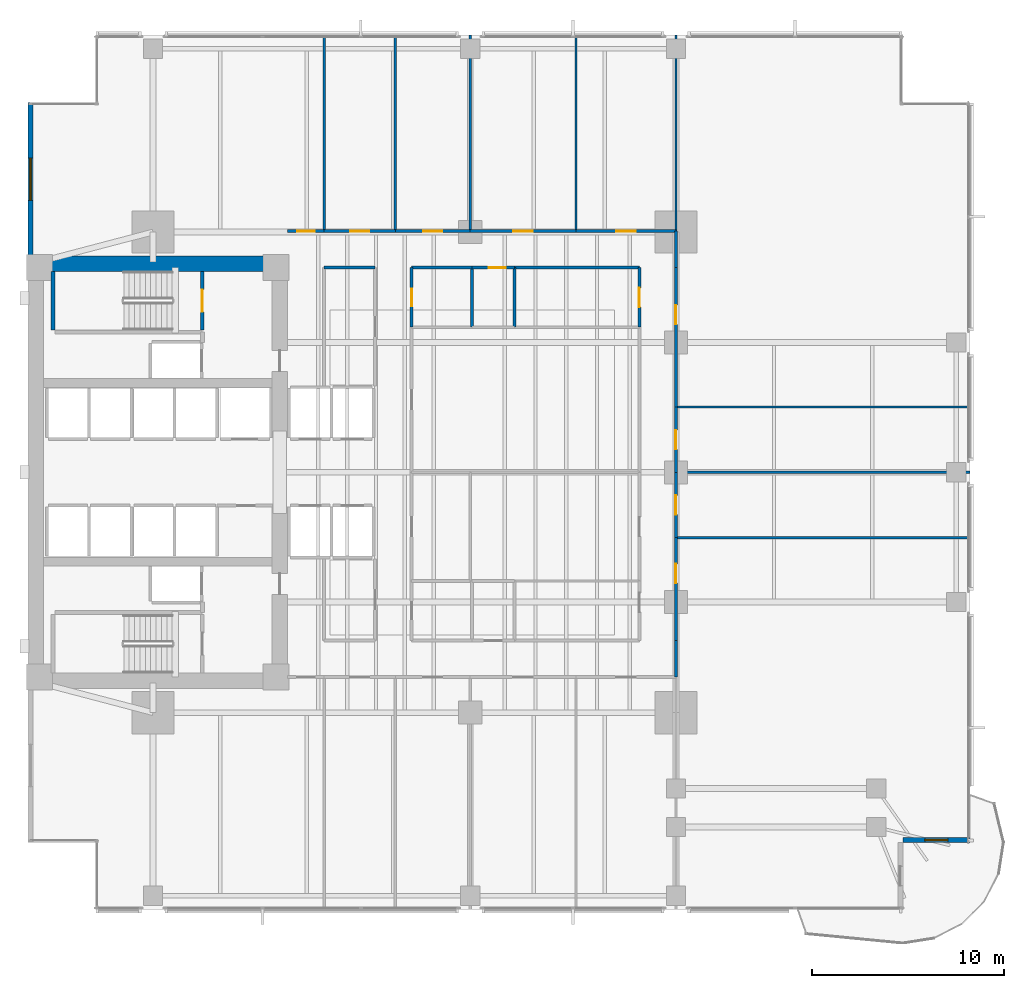
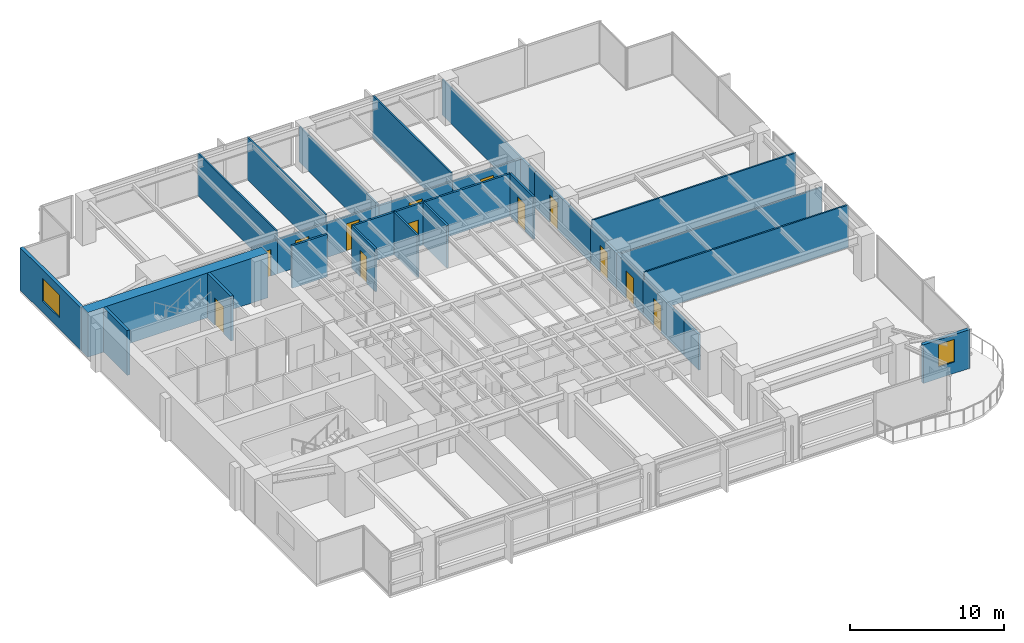
# One storey, part 10 of 15: 32 walls, 13 doors, 2 windows, 15 openings.
"""IFC4 building model written with IfcOpenShell, lengths in metres."""

import ifcopenshell
import ifcopenshell.guid

model = None  # the IFC model being written
_history = None  # IfcOwnerHistory: only IFC2X3 demands one
_inside = {}  # id of a spatial element -> (the spatial element, [elements in it])
_under = {}  # id of a project, library or spatial element -> (it, [spatial elements below it])
_declared = {}  # id of a project -> (the project, [libraries it declares])
_typed = {}  # id of a type object -> (the type object, [elements of that type])
_made_of = {}  # id of a material, layer set ... -> (it, [elements and type objects made of it])


def new_model(schema):
    """Start an empty IFC model of exactly this schema.

    Asked for "IFC4X3", IfcOpenShell would pick the latest addendum, in which some entities
    have other attributes; the version numbers below select the first issue.
    IFC2X3 requires an IfcOwnerHistory on every rooted entity: one is made here for all.
    """
    global model, _history
    if schema == "IFC4X3":
        model = ifcopenshell.file(schema_version=(4, 3, 0, 0))
    else:
        model = ifcopenshell.file(schema=schema)
    _inside.clear()
    _under.clear()
    _declared.clear()
    _typed.clear()
    _made_of.clear()
    _history = None
    if model.schema == "IFC2X3":
        org = make("IfcOrganization", Name="unknown")
        user = make(
            "IfcPersonAndOrganization",
            ThePerson=make("IfcPerson", FamilyName="unknown"),
            TheOrganization=org,
        )
        app = make(
            "IfcApplication",
            ApplicationDeveloper=org,
            Version="unknown",
            ApplicationFullName="unknown",
            ApplicationIdentifier="unknown",
        )
        _history = make(
            "IfcOwnerHistory",
            OwningUser=user,
            OwningApplication=app,
            ChangeAction="ADDED",
            CreationDate=0,
        )
    return model


def make(cls, **values):
    """One entity of the class cls with the attributes given. An attribute that is None is left unset."""
    return model.create_entity(
        cls, **{name: value for name, value in values.items() if value is not None}
    )


def rooted(cls, **values):
    """An entity with a GlobalId (a new one), such as an element, a storey or a relation."""
    return make(cls, GlobalId=ifcopenshell.guid.new(), OwnerHistory=_history, **values)


def si_unit(unit_type, name, prefix=None):
    """IfcSIUnit, for example si_unit("LENGTHUNIT", "METRE", prefix="MILLI")."""
    return make("IfcSIUnit", UnitType=unit_type, Prefix=prefix, Name=name)


def assignment(units):
    """IfcUnitAssignment: the units of a project."""
    return None if units is None else make("IfcUnitAssignment", Units=units)


def point(xyz):
    """IfcCartesianPoint."""
    return None if xyz is None else make("IfcCartesianPoint", Coordinates=xyz)


def direction(xyz):
    """IfcDirection."""
    return None if xyz is None else make("IfcDirection", DirectionRatios=xyz)


def frame(location, z_axis=None, x_axis=None):
    """IfcAxis2Placement3D, a coordinate frame: its origin and axes. An axis left out is left unset."""
    return make(
        "IfcAxis2Placement3D",
        Location=point(location),
        Axis=direction(z_axis),
        RefDirection=direction(x_axis),
    )


def frame_2d(location, x_axis=None):
    """IfcAxis2Placement2D, a coordinate frame in the plane: its origin and x axis."""
    return make(
        "IfcAxis2Placement2D", Location=point(location), RefDirection=direction(x_axis)
    )


def origin():
    """The frame at (0, 0, 0) with its axes left unset."""
    return frame((0.0, 0.0, 0.0))


def place(relative_to, where):
    """IfcLocalPlacement: puts the frame where relative to a parent placement (None: the world)."""
    return make(
        "IfcLocalPlacement", PlacementRelTo=relative_to, RelativePlacement=where
    )


def context(
    kind, dimensions, precision=None, world=None, true_north=None, identifier=None
):
    """IfcGeometricRepresentationContext, for example the 3D "Model" context."""
    return make(
        "IfcGeometricRepresentationContext",
        ContextIdentifier=identifier,
        ContextType=kind,
        CoordinateSpaceDimension=dimensions,
        Precision=precision,
        WorldCoordinateSystem=world,
        TrueNorth=true_north,
    )


def subcontext(parent, identifier, kind, view, scale=None):
    """IfcGeometricRepresentationSubContext, for example "Body" below "Model"."""
    return make(
        "IfcGeometricRepresentationSubContext",
        ContextIdentifier=identifier,
        ContextType=kind,
        ParentContext=parent,
        TargetScale=scale,
        TargetView=view,
    )


def project(units=None, contexts=None):
    """IfcProject with its units and contexts."""
    return rooted(
        "IfcProject",
        Name="project",
        RepresentationContexts=contexts,
        UnitsInContext=assignment(units),
    )


def spatial(cls, under=None, at=None, **own):
    """A site, building, storey or space (cls), placed at a placement, below another one or the project."""
    s = rooted(cls, ObjectPlacement=at, **own)
    if under is not None:
        _under.setdefault(under.id(), (under, []))[1].append(s)
    return s


def profile(cls, at=None, kind="AREA", **sizes):
    """A parametric profile (cls). Its sizes go by their IFC names, for example OverallWidth=200.0."""
    return make(cls, ProfileType=kind, Position=at, **sizes)


def rectangle(**sizes):
    """IfcRectangleProfileDef."""
    return profile("IfcRectangleProfileDef", **sizes)


def extrude(swept, where, along, depth):
    """IfcExtrudedAreaSolid: the profile swept, set in the frame where, extruded along a direction by depth."""
    return make(
        "IfcExtrudedAreaSolid",
        SweptArea=swept,
        Position=where,
        ExtrudedDirection=direction(along),
        Depth=depth,
    )


def shape(context_of_items, identifier, shape_type, items):
    """IfcShapeRepresentation: the items that make up one representation, for example the "Body"."""
    return make(
        "IfcShapeRepresentation",
        ContextOfItems=context_of_items,
        RepresentationIdentifier=identifier,
        RepresentationType=shape_type,
        Items=items,
    )


def material(Name=None, Category=None):
    """IfcMaterial."""
    return make("IfcMaterial", Name=Name, Category=Category)


def layer(
    of_material, thickness, ventilated=None, Name=None, Category=None, Priority=None
):
    """IfcMaterialLayer: one layer of a wall or slab, of a material (None: an air gap)."""
    return make(
        "IfcMaterialLayer",
        Material=of_material,
        LayerThickness=thickness,
        IsVentilated=ventilated,
        Name=Name,
        Category=Category,
        Priority=Priority,
    )


def layer_set(layers, Name=None):
    """IfcMaterialLayerSet."""
    return make("IfcMaterialLayerSet", MaterialLayers=layers, LayerSetName=Name)


def made_of(thing, what):
    """Note that an element or type object is made of a material, layer set ...; save() writes the relation."""
    if what is not None:
        _made_of.setdefault(what.id(), (what, []))[1].append(thing)
    return thing


def type_object(cls, material=None, **own):
    """A type object (cls), such as IfcWallType, which elements share."""
    return made_of(rooted(cls, **own), material)


def element(
    cls,
    number,
    at=None,
    inside=None,
    cuts=None,
    type_object=None,
    material=None,
    context=None,
    identifier="Body",
    shape_type=None,
    held_by="IfcProductDefinitionShape",
    body=None,
    shapes=None,
    **own,
):
    """One element of the class cls, such as IfcWall. Its Tag is "e" and its number.

    at: its placement. inside: the storey or other place that contains it. cuts: it is an
    opening in that element (IfcRelVoidsElement). A single representation is given by context,
    identifier, shape_type and body (its items); several are given by shapes. held_by: the class
    of the entity that holds the representations. save() writes the other relations.
    """
    e = rooted(cls, Tag="e%d" % number, ObjectPlacement=at, **own)
    if body is not None:
        shapes = [shape(context, identifier, shape_type, body)]
    if shapes is not None:
        e.Representation = make(held_by, Representations=shapes)
    if inside is not None:
        _inside.setdefault(inside.id(), (inside, []))[1].append(e)
    if cuts is not None:
        rooted(
            "IfcRelVoidsElement", RelatingBuildingElement=cuts, RelatedOpeningElement=e
        )
    if type_object is not None:
        _typed.setdefault(type_object.id(), (type_object, []))[1].append(e)
    return made_of(e, material)


def fill(opening, filler):
    """IfcRelFillsElement: the door or window that sits in an opening."""
    return rooted(
        "IfcRelFillsElement",
        RelatingOpeningElement=opening,
        RelatedBuildingElement=filler,
    )


def aggregate(whole, parts):
    """IfcRelAggregates: a whole, such as a stair, and the parts it consists of."""
    return rooted("IfcRelAggregates", RelatingObject=whole, RelatedObjects=parts)


def save(model, path):
    """Write the relations noted so far, then the file.

    IfcRelAggregates (storeys below a building ...), IfcRelContainedInSpatialStructure (elements
    in a storey), IfcRelDefinesByType, IfcRelAssociatesMaterial and IfcRelDeclares: one each for
    every whole, place, type object, material and project.
    """
    for whole, parts in _under.values():
        aggregate(whole, parts)
    for where, things in _inside.values():
        rooted(
            "IfcRelContainedInSpatialStructure",
            RelatedElements=things,
            RelatingStructure=where,
        )
    for kind, things in _typed.values():
        rooted("IfcRelDefinesByType", RelatedObjects=things, RelatingType=kind)
    for what, things in _made_of.values():
        rooted("IfcRelAssociatesMaterial", RelatedObjects=things, RelatingMaterial=what)
    for by, libraries in _declared.values():
        rooted("IfcRelDeclares", RelatingContext=by, RelatedDefinitions=libraries)
    model.write(path)


model = new_model("IFC4")

# Units and contexts
model_context = context("Model", 3, precision=1e-05, world=origin(), true_north=direction((0.0, 1.0)))
body_context = subcontext(model_context, "Body", "Model", "MODEL_VIEW")
ifc_project = project(units=[si_unit("LENGTHUNIT", "METRE"), si_unit("AREAUNIT", "SQUARE_METRE"), si_unit("VOLUMEUNIT", "CUBIC_METRE"), si_unit("PLANEANGLEUNIT", "RADIAN"), si_unit("MASSUNIT", "GRAM", prefix="KILO")], contexts=[model_context])

# Site, building, storey
site_placement = place(None, origin())
site = spatial("IfcSite", under=ifc_project, at=site_placement, CompositionType="ELEMENT")
building_placement = place(site_placement, origin())
building = spatial("IfcBuilding", under=site, at=building_placement, Name="Kinhvarn Gate Tower", CompositionType="ELEMENT")
storey_placement = place(building_placement, frame((0.0, 0.0, 61.10009765625)))
storey = spatial("IfcBuildingStorey", under=building, at=storey_placement, Name="L15", CompositionType="ELEMENT", Elevation=61.10009765625)

# Wall
ifc_material_1 = material(Name="Concrete C70/85", Category="concrete")
ifc_layer_1 = layer(ifc_material_1, 0.800048828125)
ifc_layer_set_1 = layer_set([ifc_layer_1], Name="Concrete C70/85")
wall_type_1 = type_object("IfcWallType", Name="WL-CORE-800", PredefinedType="SHEAR", material=ifc_layer_set_1)
wall_1_placement = place(storey_placement, frame((4.5, 36.10009765625, 0.0), z_axis=(0.0, 0.0, 1.0), x_axis=(1.0, 0.0, 0.0)))
element("IfcWall", 1, at=wall_1_placement, inside=storey, type_object=wall_type_1, Name="Core North Shear Wall L15 800 mm", PredefinedType="SHEAR", context=body_context, shape_type="SweptSolid", body=[
    extrude(rectangle(XDim=13.5, YDim=0.800048828125, at=frame_2d((6.75, 0.0))), origin(), (0.0, 0.0, 1.0), 3.5498046875),
])

# Wall, opening, window
ifc_material_2 = material(Name="Fired architectural terracotta", Category="masonry")
ifc_layer_2 = layer(ifc_material_2, 0.25)
ifc_layer_set_2 = layer_set([ifc_layer_2], Name="Fired architectural terracotta")
wall_type_2 = type_object("IfcWallType", Name="WL-EXT-250", PredefinedType="SOLIDWALL", material=ifc_layer_set_2)
wall_2_placement = place(storey_placement, frame((4.625, 44.5, 0.0), z_axis=(0.0, 0.0, 1.0), x_axis=(0.0, -1.0, 0.0)))
wall_2 = element("IfcWall", 2, at=wall_2_placement, inside=storey, type_object=wall_type_2, Name="Exterior Solidwall Wall EW-250 (L15 West-North)", PredefinedType="SOLIDWALL", context=body_context, shape_type="SweptSolid", body=[
    extrude(rectangle(XDim=8.0, YDim=0.25, at=frame_2d((4.0, 0.0))), origin(), (0.0, 0.0, 1.0), 3.369873046875),
])
opening_1_placement = place(wall_2_placement, frame((2.89990234375, 0.0, 0.89990234375)))
opening_1 = element("IfcOpeningElement", 3, at=opening_1_placement, cuts=wall_2, Name="Opening WN-01", PredefinedType="OPENING", context=body_context, shape_type="SweptSolid", body=[
    extrude(rectangle(XDim=2.199951171875, YDim=1.800048828125, at=frame_2d((1.10009765625, 0.89990234375))), frame((0.0, 0.135009765625, 0.0), z_axis=(0.0, -1.0, 0.0), x_axis=(1.0, 0.0, 0.0)), (0.0, 0.0, 1.0), 0.27001953125),
])
ifc_material_3 = material(Name="Clear low-e double glazing", Category="glass")
window_type_1 = type_object("IfcWindowType", Name="WIN-RIB-2200", PartitioningType="SINGLE_PANEL", PredefinedType="WINDOW", material=ifc_material_3)
window_1_placement = place(opening_1_placement, origin())
window_1 = element("IfcWindow", 4, at=window_1_placement, inside=storey, type_object=window_type_1, Name="West Flank Double-Glazed Ribbon Window 2200x1800 mm (L15)", OverallHeight=1.800048828125, OverallWidth=2.199951171875, PartitioningType="SINGLE_PANEL", PredefinedType="WINDOW", context=body_context, shape_type="SweptSolid", body=[
    extrude(rectangle(XDim=2.199951171875, YDim=1.800048828125, at=frame_2d((1.10009765625, 0.89990234375))), frame((0.0, 0.030029296875, 0.0), z_axis=(0.0, -1.0, 0.0), x_axis=(1.0, 0.0, 0.0)), (0.0, 0.0, 1.0), 0.06005859375),
])
fill(opening_1, window_1)

wall_3_placement = place(storey_placement, frame((50.0, 6.125, 0.0), z_axis=(0.0, 0.0, 1.0), x_axis=(1.0, 0.0, 0.0)))
wall_3 = element("IfcWall", 5, at=wall_3_placement, inside=storey, type_object=wall_type_2, Name="Exterior Solidwall Wall EW-250 (L15 SE-Notch-Win)", PredefinedType="SOLIDWALL", context=body_context, shape_type="SweptSolid", body=[
    extrude(rectangle(XDim=3.5, YDim=0.25, at=frame_2d((1.75, 0.0))), origin(), (0.0, 0.0, 1.0), 3.06982421875),
])
opening_2_placement = place(wall_3_placement, frame((1.14990234375, 0.0, 0.89990234375)))
opening_2 = element("IfcOpeningElement", 6, at=opening_2_placement, cuts=wall_3, Name="Opening WN-02", PredefinedType="OPENING", context=body_context, shape_type="SweptSolid", body=[
    extrude(rectangle(XDim=1.199951171875, YDim=1.800048828125, at=frame_2d((0.60009765625, 0.89990234375))), frame((0.0, 0.135009765625, 0.0), z_axis=(0.0, -1.0, 0.0), x_axis=(1.0, 0.0, 0.0)), (0.0, 0.0, 1.0), 0.27001953125),
])
window_type_2 = type_object("IfcWindowType", Name="WIN-NTC-1200", PartitioningType="SINGLE_PANEL", PredefinedType="WINDOW", material=ifc_material_3)
window_2_placement = place(opening_2_placement, origin())
window_2 = element("IfcWindow", 7, at=window_2_placement, inside=storey, type_object=window_type_2, Name="Recessed Corner Notch Punched Window 1200x1800 mm (L15)", OverallHeight=1.800048828125, OverallWidth=1.199951171875, PartitioningType="SINGLE_PANEL", PredefinedType="WINDOW", context=body_context, shape_type="SweptSolid", body=[
    extrude(rectangle(XDim=1.199951171875, YDim=1.800048828125, at=frame_2d((0.60009765625, 0.89990234375))), frame((0.0, 0.030029296875, 0.0), z_axis=(0.0, -1.0, 0.0), x_axis=(1.0, 0.0, 0.0)), (0.0, 0.0, 1.0), 0.06005859375),
])
fill(opening_2, window_2)

# Walls
ifc_material_4 = material(Name="Gypsum acoustic partition board")
ifc_layer_3 = layer(ifc_material_4, 0.14990234375)
ifc_layer_set_3 = layer_set([ifc_layer_3], Name="Gypsum acoustic partition board")
wall_type_3 = type_object("IfcWallType", Name="WL-PLM-150", PredefinedType="PLUMBINGWALL", material=ifc_layer_set_3)
for number, where, z_axis, x_axis, name in (
    (8, (27.60009765625, 32.800048828125, 0.0), (0.0, 0.0, 1.0), (0.0, 1.0, 0.0), "Interior Partition PLW-150 (L15)"),
    (9, (29.800048828125, 32.800048828125, 0.0), (0.0, 0.0, 1.0), (0.0, 1.0, 0.0), "Interior Partition PLW-150 (L15)"),
):
    element("IfcWall", number, at=place(storey_placement, frame(where, z_axis=z_axis, x_axis=x_axis)), inside=storey, type_object=wall_type_3, Name=name, PredefinedType="PLUMBINGWALL", context=body_context, shape_type="SweptSolid", body=[
        extrude(rectangle(XDim=3.099853515625, YDim=0.14990234375, at=frame_2d((1.5498046875, 0.0))), origin(), (0.0, 0.0, 1.0), 3.369873046875),
    ])

# Wall, opening, door
ifc_layer_4 = layer(ifc_material_4, 0.14990234375)
ifc_layer_set_4 = layer_set([ifc_layer_4], Name="Gypsum acoustic partition board")
wall_type_4 = type_object("IfcWallType", Name="WL-PLM-150F", PredefinedType="PLUMBINGWALL", material=ifc_layer_set_4)
wall_4_placement = place(storey_placement, frame((24.449951171875, 32.800048828125, 0.0), z_axis=(0.0, 0.0, 1.0), x_axis=(0.0, 1.0, 0.0)))
wall_4 = element("IfcWall", 10, at=wall_4_placement, inside=storey, type_object=wall_type_4, Name="Interior Partition PLW-150F (L15)", PredefinedType="PLUMBINGWALL", context=body_context, shape_type="SweptSolid", body=[
    extrude(rectangle(XDim=3.099853515625, YDim=0.14990234375, at=frame_2d((1.5498046875, 0.0))), origin(), (0.0, 0.0, 1.0), 3.369873046875),
])
opening_3_placement = place(wall_4_placement, frame((1.10009765625, 0.0, 0.0)))
opening_3 = element("IfcOpeningElement", 11, at=opening_3_placement, cuts=wall_4, Name="Opening FD-04", PredefinedType="OPENING", context=body_context, shape_type="SweptSolid", body=[
    extrude(rectangle(XDim=0.89990234375, YDim=2.10009765625, at=frame_2d((0.449951171875, 1.050048828125))), frame((0.0, 0.0849609375, 0.0), z_axis=(0.0, -1.0, 0.0), x_axis=(1.0, 0.0, 0.0)), (0.0, 0.0, 1.0), 0.169921875),
])
ifc_material_5 = material(Name="Anodised aluminium AW-6063", Category="aluminium")
door_type_1 = type_object("IfcDoorType", Name="DR-FD-900", OperationType="NOTDEFINED", PredefinedType="DOOR", material=ifc_material_5)
door_1_placement = place(opening_3_placement, origin())
door_1 = element("IfcDoor", 12, at=door_1_placement, inside=storey, type_object=door_type_1, Name="Rated Riser & Service Closet Fire Door 900x2100 mm (L15)", OperationType="SINGLE_SWING_RIGHT", OverallHeight=2.10009765625, OverallWidth=0.89990234375, PredefinedType="DOOR", context=body_context, shape_type="SweptSolid", body=[
    extrude(rectangle(XDim=0.89990234375, YDim=2.10009765625, at=frame_2d((0.449951171875, 1.050048828125))), frame((0.0, 0.02490234375, 0.0), z_axis=(0.0, -1.0, 0.0), x_axis=(1.0, 0.0, 0.0)), (0.0, 0.0, 1.0), 0.050048828125),
])
fill(opening_3, door_1)

# Wall
wall_5_placement = place(storey_placement, frame((24.449951171875, 35.89990234375, 0.0), z_axis=(0.0, 0.0, 1.0), x_axis=(1.0, 0.0, 0.0)))
element("IfcWall", 13, at=wall_5_placement, inside=storey, type_object=wall_type_4, Name="Interior Partition PLW-150F (L15)", PredefinedType="PLUMBINGWALL", context=body_context, shape_type="SweptSolid", body=[
    extrude(rectangle(XDim=3.150146484375, YDim=0.14990234375, at=frame_2d((1.5751953125, 0.0))), origin(), (0.0, 0.0, 1.0), 3.369873046875),
])

# Wall, opening, door
wall_6_placement = place(storey_placement, frame((27.60009765625, 35.89990234375, 0.0), z_axis=(0.0, 0.0, 1.0), x_axis=(1.0, 0.0, 0.0)))
wall_6 = element("IfcWall", 14, at=wall_6_placement, inside=storey, type_object=wall_type_4, Name="Interior Partition PLW-150F (L15)", PredefinedType="PLUMBINGWALL", context=body_context, shape_type="SweptSolid", body=[
    extrude(rectangle(XDim=2.199951171875, YDim=0.14990234375, at=frame_2d((1.10009765625, 0.0))), origin(), (0.0, 0.0, 1.0), 3.369873046875),
])
opening_4_placement = place(wall_6_placement, frame((0.85107421875, 0.0, 0.0)))
opening_4 = element("IfcOpeningElement", 15, at=opening_4_placement, cuts=wall_6, Name="Opening FD-04", PredefinedType="OPENING", context=body_context, shape_type="SweptSolid", body=[
    extrude(rectangle(XDim=0.89990234375, YDim=2.10009765625, at=frame_2d((0.449951171875, 1.050048828125))), frame((0.0, 0.0849609375, 0.0), z_axis=(0.0, -1.0, 0.0), x_axis=(1.0, 0.0, 0.0)), (0.0, 0.0, 1.0), 0.169921875),
])
door_2_placement = place(opening_4_placement, origin())
door_2 = element("IfcDoor", 16, at=door_2_placement, inside=storey, type_object=door_type_1, Name="Rated Riser & Service Closet Fire Door 900x2100 mm (L15)", OperationType="SINGLE_SWING_LEFT", OverallHeight=2.10009765625, OverallWidth=0.89990234375, PredefinedType="DOOR", context=body_context, shape_type="SweptSolid", body=[
    extrude(rectangle(XDim=0.89990234375, YDim=2.10009765625, at=frame_2d((0.449951171875, 1.050048828125))), frame((0.0, 0.02490234375, 0.0), z_axis=(0.0, -1.0, 0.0), x_axis=(1.0, 0.0, 0.0)), (0.0, 0.0, 1.0), 0.050048828125),
])
fill(opening_4, door_2)

# Walls
ifc_layer_5 = layer(ifc_material_4, 0.1201171875)
ifc_layer_set_5 = layer_set([ifc_layer_5], Name="Gypsum acoustic partition board")
wall_type_5 = type_object("IfcWallType", Name="WL-PRT-120", PredefinedType="PARTITIONING", material=ifc_layer_set_5)
for number, where, z_axis, x_axis, name in (
    (17, (19.89990234375, 37.800048828125, 0.0), (0.0, 0.0, 1.0), (0.0, 1.0, 0.0), "Interior Partition PW-120 (L15)"),
    (18, (23.60009765625, 37.800048828125, 0.0), (0.0, 0.0, 1.0), (0.0, 1.0, 0.0), "Interior Partition PW-120 (L15)"),
):
    element("IfcWall", number, at=place(storey_placement, frame(where, z_axis=z_axis, x_axis=x_axis)), inside=storey, type_object=wall_type_5, Name=name, PredefinedType="PARTITIONING", context=body_context, shape_type="SweptSolid", body=[
        extrude(rectangle(XDim=10.18994140625, YDim=0.1201171875, at=frame_2d((5.094970703125, 0.0))), origin(), (0.0, 0.0, 1.0), 3.369873046875),
    ])
wall_7_placement = place(storey_placement, frame((27.5, 37.800048828125, 0.0), z_axis=(0.0, 0.0, 1.0), x_axis=(0.0, 1.0, 0.0)))
element("IfcWall", 19, at=wall_7_placement, inside=storey, type_object=wall_type_5, Name="Interior Partition PW-120 (L15)", PredefinedType="PARTITIONING", context=body_context, shape_type="SweptSolid", body=[
    extrude(rectangle(XDim=10.18994140625, YDim=0.1201171875, at=frame_2d((5.094970703125, 0.0))), origin(), (0.0, 0.0, 1.0), 2.81982421875),
])
wall_8_placement = place(storey_placement, frame((33.0, 37.800048828125, 0.0), z_axis=(0.0, 0.0, 1.0), x_axis=(0.0, 1.0, 0.0)))
element("IfcWall", 20, at=wall_8_placement, inside=storey, type_object=wall_type_5, Name="Interior Partition PW-120 (L15)", PredefinedType="PARTITIONING", context=body_context, shape_type="SweptSolid", body=[
    extrude(rectangle(XDim=10.18994140625, YDim=0.1201171875, at=frame_2d((5.094970703125, 0.0))), origin(), (0.0, 0.0, 1.0), 3.369873046875),
])
wall_9_placement = place(storey_placement, frame((38.199951171875, 37.800048828125, 0.0), z_axis=(0.0, 0.0, 1.0), x_axis=(0.0, 1.0, 0.0)))
element("IfcWall", 21, at=wall_9_placement, inside=storey, type_object=wall_type_5, Name="Interior Partition PW-120 (L15)", PredefinedType="PARTITIONING", context=body_context, shape_type="SweptSolid", body=[
    extrude(rectangle(XDim=10.18994140625, YDim=0.1201171875, at=frame_2d((5.094970703125, 0.0))), origin(), (0.0, 0.0, 1.0), 2.81982421875),
])
wall_10_placement = place(storey_placement, frame((38.199951171875, 21.85009765625, 0.0), z_axis=(0.0, 0.0, 1.0), x_axis=(1.0, 0.0, 0.0)))
element("IfcWall", 22, at=wall_10_placement, inside=storey, type_object=wall_type_5, Name="Interior Partition PW-120 (L15)", PredefinedType="PARTITIONING", context=body_context, shape_type="SweptSolid", body=[
    extrude(rectangle(XDim=15.2900390625, YDim=0.1201171875, at=frame_2d((7.64501953125, 0.0))), origin(), (0.0, 0.0, 1.0), 3.369873046875),
])
wall_11_placement = place(storey_placement, frame((38.199951171875, 25.25, 0.0), z_axis=(0.0, 0.0, 1.0), x_axis=(1.0, 0.0, 0.0)))
element("IfcWall", 23, at=wall_11_placement, inside=storey, type_object=wall_type_5, Name="Interior Partition PW-120 (L15)", PredefinedType="PARTITIONING", context=body_context, shape_type="SweptSolid", body=[
    extrude(rectangle(XDim=15.2900390625, YDim=0.1201171875, at=frame_2d((7.64501953125, 0.0))), origin(), (0.0, 0.0, 1.0), 2.719970703125),
])
wall_12_placement = place(storey_placement, frame((38.199951171875, 28.64990234375, 0.0), z_axis=(0.0, 0.0, 1.0), x_axis=(1.0, 0.0, 0.0)))
element("IfcWall", 24, at=wall_12_placement, inside=storey, type_object=wall_type_5, Name="Interior Partition PW-120 (L15)", PredefinedType="PARTITIONING", context=body_context, shape_type="SweptSolid", body=[
    extrude(rectangle(XDim=15.2900390625, YDim=0.1201171875, at=frame_2d((7.64501953125, 0.0))), origin(), (0.0, 0.0, 1.0), 3.369873046875),
])
ifc_layer_6 = layer(ifc_material_4, 0.14990234375)
ifc_layer_set_6 = layer_set([ifc_layer_6], Name="Gypsum acoustic partition board")
wall_type_6 = type_object("IfcWallType", Name="WL-PRT-150F", PredefinedType="PARTITIONING", material=ifc_layer_set_6)
wall_13_placement = place(storey_placement, frame((38.199951171875, 14.60009765625, 0.0), z_axis=(0.0, 0.0, 1.0), x_axis=(0.0, 1.0, 0.0)))
element("IfcWall", 25, at=wall_13_placement, inside=storey, type_object=wall_type_6, Name="Interior Partition PW-150F (L15)", PredefinedType="PARTITIONING", context=body_context, shape_type="SweptSolid", body=[
    extrude(rectangle(XDim=1.89990234375, YDim=0.14990234375, at=frame_2d((0.949951171875, 0.0))), origin(), (0.0, 0.0, 1.0), 2.81982421875),
])
wall_14_placement = place(storey_placement, frame((19.89990234375, 35.89990234375, 0.0), z_axis=(0.0, 0.0, 1.0), x_axis=(1.0, 0.0, 0.0)))
element("IfcWall", 26, at=wall_14_placement, inside=storey, type_object=wall_type_6, Name="Interior Partition PW-150F (L15)", PredefinedType="PARTITIONING", context=body_context, shape_type="SweptSolid", body=[
    extrude(rectangle(XDim=2.650146484375, YDim=0.14990234375, at=frame_2d((1.3251953125, 0.0))), origin(), (0.0, 0.0, 1.0), 3.369873046875),
])
wall_15_placement = place(storey_placement, frame((29.800048828125, 35.89990234375, 0.0), z_axis=(0.0, 0.0, 1.0), x_axis=(1.0, 0.0, 0.0)))
element("IfcWall", 27, at=wall_15_placement, inside=storey, type_object=wall_type_6, Name="Interior Partition PW-150F (L15)", PredefinedType="PARTITIONING", context=body_context, shape_type="SweptSolid", body=[
    extrude(rectangle(XDim=6.5, YDim=0.14990234375, at=frame_2d((3.25, 0.0))), origin(), (0.0, 0.0, 1.0), 3.369873046875),
])

# Wall, opening, door
wall_16_placement = place(storey_placement, frame((18.0, 37.800048828125, 0.0), z_axis=(0.0, 0.0, 1.0), x_axis=(1.0, 0.0, 0.0)))
wall_16 = element("IfcWall", 28, at=wall_16_placement, inside=storey, type_object=wall_type_6, Name="Interior Partition PW-150F (L15)", PredefinedType="PARTITIONING", context=body_context, shape_type="SweptSolid", body=[
    extrude(rectangle(XDim=1.89990234375, YDim=0.14990234375, at=frame_2d((0.949951171875, 0.0))), origin(), (0.0, 0.0, 1.0), 2.719970703125),
])
opening_5_placement = place(wall_16_placement, frame((0.5, 0.0, 0.0)))
opening_5 = element("IfcOpeningElement", 29, at=opening_5_placement, cuts=wall_16, Name="Opening ID-03", PredefinedType="OPENING", context=body_context, shape_type="SweptSolid", body=[
    extrude(rectangle(XDim=0.89990234375, YDim=2.10009765625, at=frame_2d((0.449951171875, 1.050048828125))), frame((0.0, 0.0849609375, 0.0), z_axis=(0.0, -1.0, 0.0), x_axis=(1.0, 0.0, 0.0)), (0.0, 0.0, 1.0), 0.169921875),
])
door_type_2 = type_object("IfcDoorType", Name="DR-INT-900", OperationType="NOTDEFINED", PredefinedType="DOOR", material=ifc_material_5)
door_3_placement = place(opening_5_placement, origin())
door_3 = element("IfcDoor", 30, at=door_3_placement, inside=storey, type_object=door_type_2, Name="Cellular Office & Restroom Door 900x2100 mm (L15)", OperationType="SINGLE_SWING_RIGHT", OverallHeight=2.10009765625, OverallWidth=0.89990234375, PredefinedType="DOOR", context=body_context, shape_type="SweptSolid", body=[
    extrude(rectangle(XDim=0.89990234375, YDim=2.10009765625, at=frame_2d((0.449951171875, 1.050048828125))), frame((0.0, 0.02490234375, 0.0), z_axis=(0.0, -1.0, 0.0), x_axis=(1.0, 0.0, 0.0)), (0.0, 0.0, 1.0), 0.050048828125),
])
fill(opening_5, door_3)

wall_17_placement = place(storey_placement, frame((19.89990234375, 37.800048828125, 0.0), z_axis=(0.0, 0.0, 1.0), x_axis=(1.0, 0.0, 0.0)))
wall_17 = element("IfcWall", 31, at=wall_17_placement, inside=storey, type_object=wall_type_6, Name="Interior Partition PW-150F (L15)", PredefinedType="PARTITIONING", context=body_context, shape_type="SweptSolid", body=[
    extrude(rectangle(XDim=3.7001953125, YDim=0.14990234375, at=frame_2d((1.85009765625, 0.0))), origin(), (0.0, 0.0, 1.0), 2.719970703125),
])
opening_6_placement = place(wall_17_placement, frame((1.35009765625, 0.0, 0.0)))
opening_6 = element("IfcOpeningElement", 32, at=opening_6_placement, cuts=wall_17, Name="Opening ID-02", PredefinedType="OPENING", context=body_context, shape_type="SweptSolid", body=[
    extrude(rectangle(XDim=1.0, YDim=2.14990234375, at=frame_2d((0.5, 1.074951171875))), frame((0.0, 0.0849609375, 0.0), z_axis=(0.0, -1.0, 0.0), x_axis=(1.0, 0.0, 0.0)), (0.0, 0.0, 1.0), 0.169921875),
])
door_type_3 = type_object("IfcDoorType", Name="DR-INT-1000", OperationType="NOTDEFINED", PredefinedType="DOOR", material=ifc_material_5)
door_4_placement = place(opening_6_placement, origin())
door_4 = element("IfcDoor", 33, at=door_4_placement, inside=storey, type_object=door_type_3, Name="Standard Office & Meeting Room Door 1000x2150 mm (L15)", OperationType="SINGLE_SWING_LEFT", OverallHeight=2.14990234375, OverallWidth=1.0, PredefinedType="DOOR", context=body_context, shape_type="SweptSolid", body=[
    extrude(rectangle(XDim=1.0, YDim=2.14990234375, at=frame_2d((0.5, 1.074951171875))), frame((0.0, 0.02490234375, 0.0), z_axis=(0.0, -1.0, 0.0), x_axis=(1.0, 0.0, 0.0)), (0.0, 0.0, 1.0), 0.050048828125),
])
fill(opening_6, door_4)

wall_18_placement = place(storey_placement, frame((23.60009765625, 37.800048828125, 0.0), z_axis=(0.0, 0.0, 1.0), x_axis=(1.0, 0.0, 0.0)))
wall_18 = element("IfcWall", 34, at=wall_18_placement, inside=storey, type_object=wall_type_6, Name="Interior Partition PW-150F (L15)", PredefinedType="PARTITIONING", context=body_context, shape_type="SweptSolid", body=[
    extrude(rectangle(XDim=3.89990234375, YDim=0.14990234375, at=frame_2d((1.949951171875, 0.0))), origin(), (0.0, 0.0, 1.0), 2.719970703125),
])
opening_7_placement = place(wall_18_placement, frame((1.449951171875, 0.0, 0.0)))
opening_7 = element("IfcOpeningElement", 35, at=opening_7_placement, cuts=wall_18, Name="Opening ID-02", PredefinedType="OPENING", context=body_context, shape_type="SweptSolid", body=[
    extrude(rectangle(XDim=1.0, YDim=2.14990234375, at=frame_2d((0.5, 1.074951171875))), frame((0.0, 0.0849609375, 0.0), z_axis=(0.0, -1.0, 0.0), x_axis=(1.0, 0.0, 0.0)), (0.0, 0.0, 1.0), 0.169921875),
])
door_5_placement = place(opening_7_placement, origin())
door_5 = element("IfcDoor", 36, at=door_5_placement, inside=storey, type_object=door_type_3, Name="Standard Office & Meeting Room Door 1000x2150 mm (L15)", OperationType="SINGLE_SWING_RIGHT", OverallHeight=2.14990234375, OverallWidth=1.0, PredefinedType="DOOR", context=body_context, shape_type="SweptSolid", body=[
    extrude(rectangle(XDim=1.0, YDim=2.14990234375, at=frame_2d((0.5, 1.074951171875))), frame((0.0, 0.02490234375, 0.0), z_axis=(0.0, -1.0, 0.0), x_axis=(1.0, 0.0, 0.0)), (0.0, 0.0, 1.0), 0.050048828125),
])
fill(opening_7, door_5)

wall_19_placement = place(storey_placement, frame((27.5, 37.800048828125, 0.0), z_axis=(0.0, 0.0, 1.0), x_axis=(1.0, 0.0, 0.0)))
wall_19 = element("IfcWall", 37, at=wall_19_placement, inside=storey, type_object=wall_type_6, Name="Interior Partition PW-150F (L15)", PredefinedType="PARTITIONING", context=body_context, shape_type="SweptSolid", body=[
    extrude(rectangle(XDim=5.5, YDim=0.14990234375, at=frame_2d((2.75, 0.0))), origin(), (0.0, 0.0, 1.0), 2.719970703125),
])
opening_8_placement = place(wall_19_placement, frame((2.25, 0.0, 0.0)))
opening_8 = element("IfcOpeningElement", 38, at=opening_8_placement, cuts=wall_19, Name="Opening ID-02", PredefinedType="OPENING", context=body_context, shape_type="SweptSolid", body=[
    extrude(rectangle(XDim=1.0, YDim=2.14990234375, at=frame_2d((0.5, 1.074951171875))), frame((0.0, 0.0849609375, 0.0), z_axis=(0.0, -1.0, 0.0), x_axis=(1.0, 0.0, 0.0)), (0.0, 0.0, 1.0), 0.169921875),
])
door_6_placement = place(opening_8_placement, origin())
door_6 = element("IfcDoor", 39, at=door_6_placement, inside=storey, type_object=door_type_3, Name="Standard Office & Meeting Room Door 1000x2150 mm (L15)", OperationType="SINGLE_SWING_LEFT", OverallHeight=2.14990234375, OverallWidth=1.0, PredefinedType="DOOR", context=body_context, shape_type="SweptSolid", body=[
    extrude(rectangle(XDim=1.0, YDim=2.14990234375, at=frame_2d((0.5, 1.074951171875))), frame((0.0, 0.02490234375, 0.0), z_axis=(0.0, -1.0, 0.0), x_axis=(1.0, 0.0, 0.0)), (0.0, 0.0, 1.0), 0.050048828125),
])
fill(opening_8, door_6)

wall_20_placement = place(storey_placement, frame((33.0, 37.800048828125, 0.0), z_axis=(0.0, 0.0, 1.0), x_axis=(1.0, 0.0, 0.0)))
wall_20 = element("IfcWall", 40, at=wall_20_placement, inside=storey, type_object=wall_type_6, Name="Interior Partition PW-150F (L15)", PredefinedType="PARTITIONING", context=body_context, shape_type="SweptSolid", body=[
    extrude(rectangle(XDim=5.199951171875, YDim=0.14990234375, at=frame_2d((2.60009765625, 0.0))), origin(), (0.0, 0.0, 1.0), 2.719970703125),
])
opening_9_placement = place(wall_20_placement, frame((2.10009765625, 0.0, 0.0)))
opening_9 = element("IfcOpeningElement", 41, at=opening_9_placement, cuts=wall_20, Name="Opening ID-02", PredefinedType="OPENING", context=body_context, shape_type="SweptSolid", body=[
    extrude(rectangle(XDim=1.0, YDim=2.14990234375, at=frame_2d((0.5, 1.074951171875))), frame((0.0, 0.0849609375, 0.0), z_axis=(0.0, -1.0, 0.0), x_axis=(1.0, 0.0, 0.0)), (0.0, 0.0, 1.0), 0.169921875),
])
door_7_placement = place(opening_9_placement, origin())
door_7 = element("IfcDoor", 42, at=door_7_placement, inside=storey, type_object=door_type_3, Name="Standard Office & Meeting Room Door 1000x2150 mm (L15)", OperationType="SINGLE_SWING_RIGHT", OverallHeight=2.14990234375, OverallWidth=1.0, PredefinedType="DOOR", context=body_context, shape_type="SweptSolid", body=[
    extrude(rectangle(XDim=1.0, YDim=2.14990234375, at=frame_2d((0.5, 1.074951171875))), frame((0.0, 0.02490234375, 0.0), z_axis=(0.0, -1.0, 0.0), x_axis=(1.0, 0.0, 0.0)), (0.0, 0.0, 1.0), 0.050048828125),
])
fill(opening_9, door_7)

# Wall
wall_21_placement = place(storey_placement, frame((38.199951171875, 35.89990234375, 0.0), z_axis=(0.0, 0.0, 1.0), x_axis=(0.0, 1.0, 0.0)))
element("IfcWall", 43, at=wall_21_placement, inside=storey, type_object=wall_type_6, Name="Interior Partition PW-150F (L15)", PredefinedType="PARTITIONING", context=body_context, shape_type="SweptSolid", body=[
    extrude(rectangle(XDim=1.900146484375, YDim=0.14990234375, at=frame_2d((0.9501953125, 0.0))), origin(), (0.0, 0.0, 1.0), 2.81982421875),
])

# Wall, opening, door
wall_22_placement = place(storey_placement, frame((36.300048828125, 32.800048828125, 0.0), z_axis=(0.0, 0.0, 1.0), x_axis=(0.0, 1.0, 0.0)))
wall_22 = element("IfcWall", 44, at=wall_22_placement, inside=storey, type_object=wall_type_6, Name="Interior Partition PW-150F (L15)", PredefinedType="PARTITIONING", context=body_context, shape_type="SweptSolid", body=[
    extrude(rectangle(XDim=3.099853515625, YDim=0.14990234375, at=frame_2d((1.5498046875, 0.0))), origin(), (0.0, 0.0, 1.0), 3.369873046875),
])
opening_10_placement = place(wall_22_placement, frame((1.050048828125, 0.0, 0.0)))
opening_10 = element("IfcOpeningElement", 45, at=opening_10_placement, cuts=wall_22, Name="Opening ID-02", PredefinedType="OPENING", context=body_context, shape_type="SweptSolid", body=[
    extrude(rectangle(XDim=1.0, YDim=2.14990234375, at=frame_2d((0.5, 1.074951171875))), frame((0.0, 0.0849609375, 0.0), z_axis=(0.0, -1.0, 0.0), x_axis=(1.0, 0.0, 0.0)), (0.0, 0.0, 1.0), 0.169921875),
])
door_8_placement = place(opening_10_placement, origin())
door_8 = element("IfcDoor", 46, at=door_8_placement, inside=storey, type_object=door_type_3, Name="Standard Office & Meeting Room Door 1000x2150 mm (L15)", OperationType="SINGLE_SWING_RIGHT", OverallHeight=2.14990234375, OverallWidth=1.0, PredefinedType="DOOR", context=body_context, shape_type="SweptSolid", body=[
    extrude(rectangle(XDim=1.0, YDim=2.14990234375, at=frame_2d((0.5, 1.074951171875))), frame((0.0, 0.02490234375, 0.0), z_axis=(0.0, -1.0, 0.0), x_axis=(1.0, 0.0, 0.0)), (0.0, 0.0, 1.0), 0.050048828125),
])
fill(opening_10, door_8)

wall_23_placement = place(storey_placement, frame((38.199951171875, 16.5, 0.0), z_axis=(0.0, 0.0, 1.0), x_axis=(0.0, 1.0, 0.0)))
wall_23 = element("IfcWall", 47, at=wall_23_placement, inside=storey, type_object=wall_type_6, Name="Interior Partition PW-150F (L15)", PredefinedType="PARTITIONING", context=body_context, shape_type="SweptSolid", body=[
    extrude(rectangle(XDim=5.35009765625, YDim=0.14990234375, at=frame_2d((2.675048828125, 0.0))), origin(), (0.0, 0.0, 1.0), 2.81982421875),
])
opening_11_placement = place(wall_23_placement, frame((2.988037109375, 0.0, 0.0)))
opening_11 = element("IfcOpeningElement", 48, at=opening_11_placement, cuts=wall_23, Name="Opening ID-02", PredefinedType="OPENING", context=body_context, shape_type="SweptSolid", body=[
    extrude(rectangle(XDim=1.0, YDim=2.14990234375, at=frame_2d((0.5, 1.074951171875))), frame((0.0, 0.0849609375, 0.0), z_axis=(0.0, -1.0, 0.0), x_axis=(1.0, 0.0, 0.0)), (0.0, 0.0, 1.0), 0.169921875),
])
door_9_placement = place(opening_11_placement, origin())
door_9 = element("IfcDoor", 49, at=door_9_placement, inside=storey, type_object=door_type_3, Name="Standard Office & Meeting Room Door 1000x2150 mm (L15)", OperationType="SINGLE_SWING_RIGHT", OverallHeight=2.14990234375, OverallWidth=1.0, PredefinedType="DOOR", context=body_context, shape_type="SweptSolid", body=[
    extrude(rectangle(XDim=1.0, YDim=2.14990234375, at=frame_2d((0.5, 1.074951171875))), frame((0.0, 0.02490234375, 0.0), z_axis=(0.0, -1.0, 0.0), x_axis=(1.0, 0.0, 0.0)), (0.0, 0.0, 1.0), 0.050048828125),
])
fill(opening_11, door_9)

wall_24_placement = place(storey_placement, frame((38.199951171875, 21.85009765625, 0.0), z_axis=(0.0, 0.0, 1.0), x_axis=(0.0, 1.0, 0.0)))
wall_24 = element("IfcWall", 50, at=wall_24_placement, inside=storey, type_object=wall_type_6, Name="Interior Partition PW-150F (L15)", PredefinedType="PARTITIONING", context=body_context, shape_type="SweptSolid", body=[
    extrude(rectangle(XDim=3.39990234375, YDim=0.14990234375, at=frame_2d((1.699951171875, 0.0))), origin(), (0.0, 0.0, 1.0), 2.81982421875),
])
opening_12_placement = place(wall_24_placement, frame((1.199951171875, 0.0, 0.0)))
opening_12 = element("IfcOpeningElement", 51, at=opening_12_placement, cuts=wall_24, Name="Opening ID-02", PredefinedType="OPENING", context=body_context, shape_type="SweptSolid", body=[
    extrude(rectangle(XDim=1.0, YDim=2.14990234375, at=frame_2d((0.5, 1.074951171875))), frame((0.0, 0.0849609375, 0.0), z_axis=(0.0, -1.0, 0.0), x_axis=(1.0, 0.0, 0.0)), (0.0, 0.0, 1.0), 0.169921875),
])
door_10_placement = place(opening_12_placement, origin())
door_10 = element("IfcDoor", 52, at=door_10_placement, inside=storey, type_object=door_type_3, Name="Standard Office & Meeting Room Door 1000x2150 mm (L15)", OperationType="SINGLE_SWING_LEFT", OverallHeight=2.14990234375, OverallWidth=1.0, PredefinedType="DOOR", context=body_context, shape_type="SweptSolid", body=[
    extrude(rectangle(XDim=1.0, YDim=2.14990234375, at=frame_2d((0.5, 1.074951171875))), frame((0.0, 0.02490234375, 0.0), z_axis=(0.0, -1.0, 0.0), x_axis=(1.0, 0.0, 0.0)), (0.0, 0.0, 1.0), 0.050048828125),
])
fill(opening_12, door_10)

wall_25_placement = place(storey_placement, frame((38.199951171875, 25.25, 0.0), z_axis=(0.0, 0.0, 1.0), x_axis=(0.0, 1.0, 0.0)))
wall_25 = element("IfcWall", 53, at=wall_25_placement, inside=storey, type_object=wall_type_6, Name="Interior Partition PW-150F (L15)", PredefinedType="PARTITIONING", context=body_context, shape_type="SweptSolid", body=[
    extrude(rectangle(XDim=3.39990234375, YDim=0.14990234375, at=frame_2d((1.699951171875, 0.0))), origin(), (0.0, 0.0, 1.0), 2.81982421875),
])
opening_13_placement = place(wall_25_placement, frame((1.199951171875, 0.0, 0.0)))
opening_13 = element("IfcOpeningElement", 54, at=opening_13_placement, cuts=wall_25, Name="Opening ID-02", PredefinedType="OPENING", context=body_context, shape_type="SweptSolid", body=[
    extrude(rectangle(XDim=1.0, YDim=2.14990234375, at=frame_2d((0.5, 1.074951171875))), frame((0.0, 0.0849609375, 0.0), z_axis=(0.0, -1.0, 0.0), x_axis=(1.0, 0.0, 0.0)), (0.0, 0.0, 1.0), 0.169921875),
])
door_11_placement = place(opening_13_placement, origin())
door_11 = element("IfcDoor", 55, at=door_11_placement, inside=storey, type_object=door_type_3, Name="Standard Office & Meeting Room Door 1000x2150 mm (L15)", OperationType="SINGLE_SWING_RIGHT", OverallHeight=2.14990234375, OverallWidth=1.0, PredefinedType="DOOR", context=body_context, shape_type="SweptSolid", body=[
    extrude(rectangle(XDim=1.0, YDim=2.14990234375, at=frame_2d((0.5, 1.074951171875))), frame((0.0, 0.02490234375, 0.0), z_axis=(0.0, -1.0, 0.0), x_axis=(1.0, 0.0, 0.0)), (0.0, 0.0, 1.0), 0.050048828125),
])
fill(opening_13, door_11)

wall_26_placement = place(storey_placement, frame((38.199951171875, 28.64990234375, 0.0), z_axis=(0.0, 0.0, 1.0), x_axis=(0.0, 1.0, 0.0)))
wall_26 = element("IfcWall", 56, at=wall_26_placement, inside=storey, type_object=wall_type_6, Name="Interior Partition PW-150F (L15)", PredefinedType="PARTITIONING", context=body_context, shape_type="SweptSolid", body=[
    extrude(rectangle(XDim=7.25, YDim=0.14990234375, at=frame_2d((3.625, 0.0))), origin(), (0.0, 0.0, 1.0), 2.81982421875),
])
opening_14_placement = place(wall_26_placement, frame((4.302978515625, 0.0, 0.0)))
opening_14 = element("IfcOpeningElement", 57, at=opening_14_placement, cuts=wall_26, Name="Opening ID-02", PredefinedType="OPENING", context=body_context, shape_type="SweptSolid", body=[
    extrude(rectangle(XDim=1.0, YDim=2.14990234375, at=frame_2d((0.5, 1.074951171875))), frame((0.0, 0.0849609375, 0.0), z_axis=(0.0, -1.0, 0.0), x_axis=(1.0, 0.0, 0.0)), (0.0, 0.0, 1.0), 0.169921875),
])
door_12_placement = place(opening_14_placement, origin())
door_12 = element("IfcDoor", 58, at=door_12_placement, inside=storey, type_object=door_type_3, Name="Standard Office & Meeting Room Door 1000x2150 mm (L15)", OperationType="SINGLE_SWING_LEFT", OverallHeight=2.14990234375, OverallWidth=1.0, PredefinedType="DOOR", context=body_context, shape_type="SweptSolid", body=[
    extrude(rectangle(XDim=1.0, YDim=2.14990234375, at=frame_2d((0.5, 1.074951171875))), frame((0.0, 0.02490234375, 0.0), z_axis=(0.0, -1.0, 0.0), x_axis=(1.0, 0.0, 0.0)), (0.0, 0.0, 1.0), 0.050048828125),
])
fill(opening_14, door_12)

# Wall
ifc_material_6 = material(Name="Concrete C40/50", Category="concrete")
ifc_layer_7 = layer(ifc_material_6, 0.199951171875)
ifc_layer_set_7 = layer_set([ifc_layer_7], Name="Concrete C40/50")
wall_type_7 = type_object("IfcWallType", Name="WL-SHF-200", PredefinedType="SOLIDWALL", material=ifc_layer_set_7)
wall_27_placement = place(storey_placement, frame((5.7900390625, 32.64990234375, 0.0), z_axis=(0.0, 0.0, 1.0), x_axis=(0.0, 1.0, 0.0)))
element("IfcWall", 59, at=wall_27_placement, inside=storey, type_object=wall_type_7, Name="Stair ST2 West Shaft Wall (L15)", PredefinedType="SOLIDWALL", context=body_context, shape_type="SweptSolid", body=[
    extrude(rectangle(XDim=3.050048828125, YDim=0.199951171875, at=frame_2d((1.52490234375, 0.0))), origin(), (0.0, 0.0, 1.0), 3.5498046875),
])

# Wall, opening, door
wall_28_placement = place(storey_placement, frame((13.56005859375, 32.64990234375, 0.0), z_axis=(0.0, 0.0, 1.0), x_axis=(0.0, 1.0, 0.0)))
wall_28 = element("IfcWall", 60, at=wall_28_placement, inside=storey, type_object=wall_type_7, Name="Stair ST2 East Entry Wall (L15)", PredefinedType="SOLIDWALL", context=body_context, shape_type="SweptSolid", body=[
    extrude(rectangle(XDim=3.050048828125, YDim=0.199951171875, at=frame_2d((1.52490234375, 0.0))), origin(), (0.0, 0.0, 1.0), 3.5498046875),
])
opening_15_placement = place(wall_28_placement, frame((0.949951171875, 0.0, 0.0)))
opening_15 = element("IfcOpeningElement", 61, at=opening_15_placement, cuts=wall_28, Name="Opening FD-01", PredefinedType="OPENING", context=body_context, shape_type="SweptSolid", body=[
    extrude(rectangle(XDim=1.14990234375, YDim=2.14990234375, at=frame_2d((0.574951171875, 1.074951171875))), frame((0.0, 0.10986328125, 0.0), z_axis=(0.0, -1.0, 0.0), x_axis=(1.0, 0.0, 0.0)), (0.0, 0.0, 1.0), 0.219970703125),
])
door_type_4 = type_object("IfcDoorType", Name="DR-ST-1150", OperationType="NOTDEFINED", PredefinedType="DOOR", material=ifc_material_5)
door_13_placement = place(opening_15_placement, origin())
door_13 = element("IfcDoor", 62, at=door_13_placement, inside=storey, type_object=door_type_4, Name="Exit Stair ST2 Fire Door (L15)", OperationType="SINGLE_SWING_RIGHT", OverallHeight=2.14990234375, OverallWidth=1.14990234375, PredefinedType="DOOR", context=body_context, shape_type="SweptSolid", body=[
    extrude(rectangle(XDim=1.14990234375, YDim=2.14990234375, at=frame_2d((0.574951171875, 1.074951171875))), frame((0.0, 0.02490234375, 0.0), z_axis=(0.0, -1.0, 0.0), x_axis=(1.0, 0.0, 0.0)), (0.0, 0.0, 1.0), 0.050048828125),
])
fill(opening_15, door_13)

save(model, "model.ifc")
